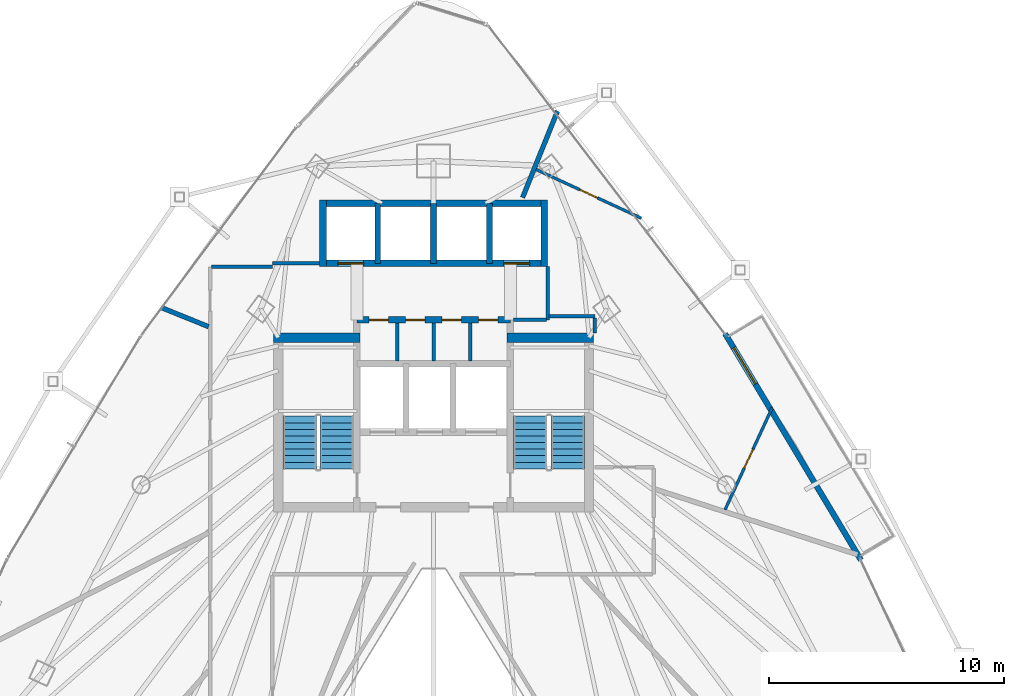
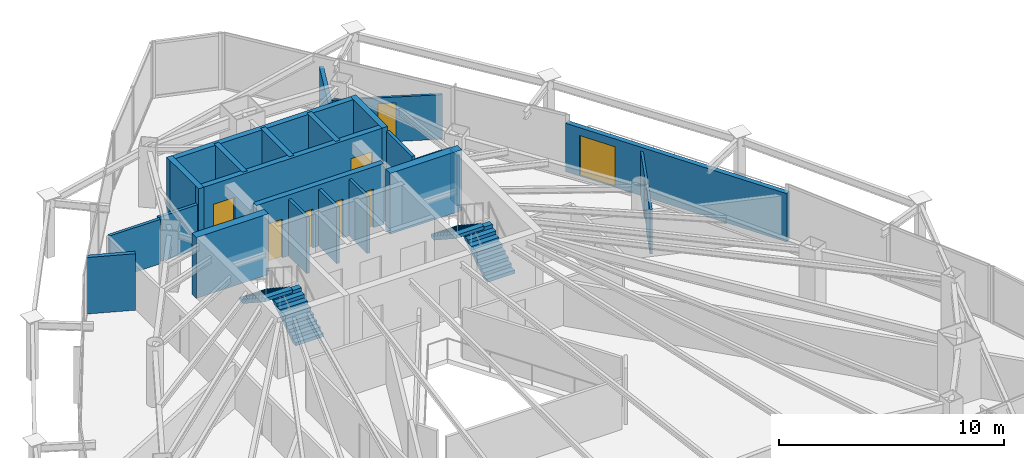
# One storey, part 28 of 31: 24 walls, 9 doors, 4 stair flights, 9 openings, 2 elements without a shape of their own.
"""IFC4 building model written with IfcOpenShell, lengths in metres."""

from ifc_helpers import new_model, si_unit, direction, frame, frame_2d, origin, place, context, subcontext, project, spatial, polyline, rectangle, outline, extrude, material, layer, layer_set, type_object, element, fill, aggregate, save


model = new_model("IFC4")

# Units and contexts
model_context = context("Model", 3, precision=1e-05, world=origin(), true_north=direction((0.0, 1.0)))
body_context = subcontext(model_context, "Body", "Model", "MODEL_VIEW")
ifc_project = project(units=[si_unit("LENGTHUNIT", "METRE"), si_unit("AREAUNIT", "SQUARE_METRE"), si_unit("VOLUMEUNIT", "CUBIC_METRE"), si_unit("PLANEANGLEUNIT", "RADIAN"), si_unit("MASSUNIT", "GRAM", prefix="KILO")], contexts=[model_context])

# Site, building, storey
site_placement = place(None, origin())
site = spatial("IfcSite", under=ifc_project, at=site_placement, CompositionType="ELEMENT")
building_placement = place(site_placement, origin())
building = spatial("IfcBuilding", under=site, at=building_placement, Name="Orvanel Arch Residences", CompositionType="ELEMENT")
storey_placement = place(building_placement, frame((0.0, 0.0, 157.25)))
storey = spatial("IfcBuildingStorey", under=building, at=storey_placement, Name="L44", CompositionType="ELEMENT", Elevation=157.25)

# Wall, opening, door
ifc_material_1 = material(Name="Precast concrete N50 (50 MPa)", Category="concrete")
ifc_layer_1 = layer(ifc_material_1, 0.239990234375)
ifc_layer_set_1 = layer_set([ifc_layer_1], Name="Precast concrete N50 (50 MPa)")
wall_type_1 = type_object("IfcWallType", Name="EW-BAL-240", PredefinedType="SOLIDWALL", material=ifc_layer_set_1)
wall_1_placement = place(storey_placement, frame((51.155029296875, 24.445068359375, 0.0), z_axis=(0.0, 0.0, 1.0), x_axis=(-0.514335781973, 0.857588889493, 0.0)))
wall_1 = element("IfcWall", 1, at=wall_1_placement, inside=storey, type_object=wall_type_1, Name="L44 Balcony Threshold Wall Face 3", PredefinedType="SOLIDWALL", context=body_context, shape_type="SweptSolid", body=[
    extrude(rectangle(XDim=11.22216796875, YDim=0.239990234375, at=frame_2d((5.611083984375, 0.0))), origin(), (0.0, 0.0, 1.0), 2.6240234375),
])
opening_1_placement = place(wall_1_placement, frame((8.72509765625, 0.0, 0.0)))
opening_1 = element("IfcOpeningElement", 2, at=opening_1_placement, cuts=wall_1, Name="Opening DB-180", PredefinedType="OPENING", context=body_context, shape_type="SweptSolid", body=[
    extrude(rectangle(XDim=1.800048828125, YDim=2.199951171875, at=frame_2d((0.89990234375, 1.10009765625))), frame((0.0, 0.1298828125, 0.0), z_axis=(0.0, -1.0, 0.0), x_axis=(1.0, 0.0, 0.0)), (0.0, 0.0, 1.0), 0.260009765625),
])
ifc_material_2 = material(Name="Bronze-anodised aluminium AA6063-T6", Category="aluminium")
door_type_1 = type_object("IfcDoorType", Name="DR-BAL-1800", OperationType="NOTDEFINED", PredefinedType="DOOR", material=ifc_material_2)
door_1_placement = place(opening_1_placement, origin())
door_1 = element("IfcDoor", 3, at=door_1_placement, inside=storey, type_object=door_type_1, Name="DR-L44-BAL-F3 L44 Planted Balcony Access Door Face 3", OperationType="SINGLE_SWING_RIGHT", OverallHeight=2.199951171875, OverallWidth=1.800048828125, PredefinedType="DOOR", context=body_context, shape_type="SweptSolid", body=[
    extrude(rectangle(XDim=1.800048828125, YDim=2.199951171875, at=frame_2d((0.89990234375, 1.10009765625))), frame((0.0, 0.02490234375, 0.0), z_axis=(0.0, -1.0, 0.0), x_axis=(1.0, 0.0, 0.0)), (0.0, 0.0, 1.0), 0.050048828125),
])
fill(opening_1, door_1)

# Walls
ifc_material_3 = material(Name="Concrete N50 (50 MPa)", Category="concrete")
ifc_layer_2 = layer(ifc_material_3, 0.25)
ifc_layer_set_2 = layer_set([ifc_layer_2], Name="Concrete N50 (50 MPa)")
wall_type_2 = type_object("IfcWallType", Name="SW-CORE-250", PredefinedType="SHEAR", material=ifc_layer_set_2)
for number, where, z_axis, x_axis, name in (
    (4, (30.625, 37.050048828125, 0.0), (0.0, 0.0, 1.0), (0.0, 1.0, 0.0), "L44 Passenger Lift Inter-Shaft Wall P35"),
    (5, (33.0, 37.050048828125, 0.0), (0.0, 0.0, 1.0), (0.0, 1.0, 0.0), "L44 Passenger Lift Inter-Shaft Wall P56"),
    (6, (35.375, 37.050048828125, 0.0), (0.0, 0.0, 1.0), (0.0, 1.0, 0.0), "L44 Passenger Lift Inter-Shaft Wall P64"),
):
    element("IfcWall", number, at=place(storey_placement, frame(where, z_axis=z_axis, x_axis=x_axis)), inside=storey, type_object=wall_type_2, Name=name, PredefinedType="SHEAR", context=body_context, shape_type="SweptSolid", body=[
        extrude(rectangle(XDim=2.550048828125, YDim=0.25, at=frame_2d((1.27490234375, 0.0))), origin(), (0.0, 0.0, 1.0), 3.300048828125),
    ])

# Wall, openings, doors
ifc_material_4 = material(Name="Concrete S65 (65 MPa)", Category="concrete")
ifc_layer_3 = layer(ifc_material_4, 0.280029296875)
ifc_layer_set_3 = layer_set([ifc_layer_3], Name="Concrete S65 (65 MPa)")
wall_type_3 = type_object("IfcWallType", Name="SW-CORE-280", PredefinedType="SHEAR", material=ifc_layer_set_3)
wall_2_placement = place(storey_placement, frame((29.739990234375, 34.64990234375, 0.0), z_axis=(0.0, 0.0, 1.0), x_axis=(1.0, 0.0, 0.0)))
wall_2 = element("IfcWall", 7, at=wall_2_placement, inside=storey, type_object=wall_type_3, Name="L44 Core Service Band North Shear Wall", PredefinedType="SHEAR", context=body_context, shape_type="SweptSolid", body=[
    extrude(rectangle(XDim=6.52001953125, YDim=0.280029296875, at=frame_2d((3.260009765625, 0.0))), origin(), (0.0, 0.0, 1.0), 3.300048828125),
])
opening_2_placement = place(wall_2_placement, frame((0.514892578125, 0.0, 0.0)))
opening_2 = element("IfcOpeningElement", 8, at=opening_2_placement, cuts=wall_2, Name="Opening DS-082", PredefinedType="OPENING", context=body_context, shape_type="SweptSolid", body=[
    extrude(rectangle(XDim=0.820068359375, YDim=2.10009765625, at=frame_2d((0.41015625, 1.050048828125))), frame((0.0, 0.14990234375, 0.0), z_axis=(0.0, -1.0, 0.0), x_axis=(1.0, 0.0, 0.0)), (0.0, 0.0, 1.0), 0.300048828125),
])
opening_3_placement = place(wall_2_placement, frame((2.06494140625, 0.0, 0.0)))
opening_3 = element("IfcOpeningElement", 9, at=opening_3_placement, cuts=wall_2, Name="Opening DS-082", PredefinedType="OPENING", context=body_context, shape_type="SweptSolid", body=[
    extrude(rectangle(XDim=0.820068359375, YDim=2.10009765625, at=frame_2d((0.41015625, 1.050048828125))), frame((0.0, 0.14990234375, 0.0), z_axis=(0.0, -1.0, 0.0), x_axis=(1.0, 0.0, 0.0)), (0.0, 0.0, 1.0), 0.300048828125),
])
opening_4_placement = place(wall_2_placement, frame((3.614990234375, 0.0, 0.0)))
opening_4 = element("IfcOpeningElement", 10, at=opening_4_placement, cuts=wall_2, Name="Opening DS-082", PredefinedType="OPENING", context=body_context, shape_type="SweptSolid", body=[
    extrude(rectangle(XDim=0.820068359375, YDim=2.10009765625, at=frame_2d((0.41015625, 1.050048828125))), frame((0.0, 0.14990234375, 0.0), z_axis=(0.0, -1.0, 0.0), x_axis=(1.0, 0.0, 0.0)), (0.0, 0.0, 1.0), 0.300048828125),
])
opening_5_placement = place(wall_2_placement, frame((5.1650390625, 0.0, 0.0)))
opening_5 = element("IfcOpeningElement", 11, at=opening_5_placement, cuts=wall_2, Name="Opening DS-082", PredefinedType="OPENING", context=body_context, shape_type="SweptSolid", body=[
    extrude(rectangle(XDim=0.820068359375, YDim=2.10009765625, at=frame_2d((0.41015625, 1.050048828125))), frame((0.0, 0.14990234375, 0.0), z_axis=(0.0, -1.0, 0.0), x_axis=(1.0, 0.0, 0.0)), (0.0, 0.0, 1.0), 0.300048828125),
])
ifc_material_5 = material(Name="Galvanised steel fire-resisting door assembly", Category="steel")
door_type_2 = type_object("IfcDoorType", Name="DR-SVC-820", OperationType="NOTDEFINED", PredefinedType="DOOR", material=ifc_material_5)
door_2_placement = place(opening_2_placement, origin())
door_2 = element("IfcDoor", 12, at=door_2_placement, inside=storey, type_object=door_type_2, Name="DR-L44-CSVC-1 L44 Linen Store Door", OperationType="SINGLE_SWING_LEFT", OverallHeight=2.10009765625, OverallWidth=0.820068359375, PredefinedType="DOOR", context=body_context, shape_type="SweptSolid", body=[
    extrude(rectangle(XDim=0.820068359375, YDim=2.10009765625, at=frame_2d((0.41015625, 1.050048828125))), frame((0.0, 0.02490234375, 0.0), z_axis=(0.0, -1.0, 0.0), x_axis=(1.0, 0.0, 0.0)), (0.0, 0.0, 1.0), 0.050048828125),
])
fill(opening_2, door_2)
door_3_placement = place(opening_3_placement, origin())
door_3 = element("IfcDoor", 13, at=door_3_placement, inside=storey, type_object=door_type_2, Name="DR-L44-CSVC-2 L44 Cleaner's Store Door", OperationType="SINGLE_SWING_LEFT", OverallHeight=2.10009765625, OverallWidth=0.820068359375, PredefinedType="DOOR", context=body_context, shape_type="SweptSolid", body=[
    extrude(rectangle(XDim=0.820068359375, YDim=2.10009765625, at=frame_2d((0.41015625, 1.050048828125))), frame((0.0, 0.02490234375, 0.0), z_axis=(0.0, -1.0, 0.0), x_axis=(1.0, 0.0, 0.0)), (0.0, 0.0, 1.0), 0.050048828125),
])
fill(opening_3, door_3)
door_4_placement = place(opening_4_placement, origin())
door_4 = element("IfcDoor", 14, at=door_4_placement, inside=storey, type_object=door_type_2, Name="DR-L44-CSVC-3 L44 Electrical Meter Store Door", OperationType="SINGLE_SWING_LEFT", OverallHeight=2.10009765625, OverallWidth=0.820068359375, PredefinedType="DOOR", context=body_context, shape_type="SweptSolid", body=[
    extrude(rectangle(XDim=0.820068359375, YDim=2.10009765625, at=frame_2d((0.41015625, 1.050048828125))), frame((0.0, 0.02490234375, 0.0), z_axis=(0.0, -1.0, 0.0), x_axis=(1.0, 0.0, 0.0)), (0.0, 0.0, 1.0), 0.050048828125),
])
fill(opening_4, door_4)
door_5_placement = place(opening_5_placement, origin())
door_5 = element("IfcDoor", 15, at=door_5_placement, inside=storey, type_object=door_type_2, Name="DR-L44-CSVC-4 L44 Housekeeping Supply Store Door", OperationType="SINGLE_SWING_LEFT", OverallHeight=2.10009765625, OverallWidth=0.820068359375, PredefinedType="DOOR", context=body_context, shape_type="SweptSolid", body=[
    extrude(rectangle(XDim=0.820068359375, YDim=2.10009765625, at=frame_2d((0.41015625, 1.050048828125))), frame((0.0, 0.02490234375, 0.0), z_axis=(0.0, -1.0, 0.0), x_axis=(1.0, 0.0, 0.0)), (0.0, 0.0, 1.0), 0.050048828125),
])
fill(opening_5, door_5)

wall_3_placement = place(storey_placement, frame((37.840087890625, 37.050048828125, 0.0), z_axis=(0.0, 0.0, 1.0), x_axis=(-1.0, 0.0, 0.0)))
wall_3 = element("IfcWall", 16, at=wall_3_placement, inside=storey, type_object=wall_type_3, Name="L44 Passenger Lift Bank Front Shear Wall", PredefinedType="SHEAR", context=body_context, shape_type="SweptSolid", body=[
    extrude(rectangle(XDim=9.68017578125, YDim=0.280029296875, at=frame_2d((4.840087890625, 0.0))), origin(), (0.0, 0.0, 1.0), 3.300048828125),
])
opening_6_placement = place(wall_3_placement, frame((7.81494140625, 0.0, 0.0)))
opening_6 = element("IfcOpeningElement", 17, at=opening_6_placement, cuts=wall_3, Name="Opening LD-110", PredefinedType="OPENING", context=body_context, shape_type="SweptSolid", body=[
    extrude(rectangle(XDim=1.10009765625, YDim=2.199951171875, at=frame_2d((0.550048828125, 1.10009765625))), frame((0.0, 0.14990234375, 0.0), z_axis=(0.0, -1.0, 0.0), x_axis=(1.0, 0.0, 0.0)), (0.0, 0.0, 1.0), 0.300048828125),
])
opening_7_placement = place(wall_3_placement, frame((0.764892578125, 0.0, 0.0)))
opening_7 = element("IfcOpeningElement", 18, at=opening_7_placement, cuts=wall_3, Name="Opening LD-110", PredefinedType="OPENING", context=body_context, shape_type="SweptSolid", body=[
    extrude(rectangle(XDim=1.10009765625, YDim=2.199951171875, at=frame_2d((0.550048828125, 1.10009765625))), frame((0.0, 0.14990234375, 0.0), z_axis=(0.0, -1.0, 0.0), x_axis=(1.0, 0.0, 0.0)), (0.0, 0.0, 1.0), 0.300048828125),
])
door_type_3 = type_object("IfcDoorType", Name="DR-LFT-1100", OperationType="NOTDEFINED", PredefinedType="DOOR", material=ifc_material_5)
door_6_placement = place(opening_6_placement, origin())
door_6 = element("IfcDoor", 19, at=door_6_placement, inside=storey, type_object=door_type_3, Name="LD-P3-L44 L44 Passenger Lift P3 Sliding Landing Door", OperationType="DOUBLE_DOOR_SLIDING", OverallHeight=2.199951171875, OverallWidth=1.10009765625, PredefinedType="DOOR", context=body_context, shape_type="SweptSolid", body=[
    extrude(rectangle(XDim=1.10009765625, YDim=2.199951171875, at=frame_2d((0.550048828125, 1.10009765625))), frame((0.0, 0.02490234375, 0.0), z_axis=(0.0, -1.0, 0.0), x_axis=(1.0, 0.0, 0.0)), (0.0, 0.0, 1.0), 0.050048828125),
])
fill(opening_6, door_6)
door_7_placement = place(opening_7_placement, origin())
door_7 = element("IfcDoor", 20, at=door_7_placement, inside=storey, type_object=door_type_3, Name="LD-P4-L44 L44 Passenger Lift P4 Sliding Landing Door", OperationType="DOUBLE_DOOR_SLIDING", OverallHeight=2.199951171875, OverallWidth=1.10009765625, PredefinedType="DOOR", context=body_context, shape_type="SweptSolid", body=[
    extrude(rectangle(XDim=1.10009765625, YDim=2.199951171875, at=frame_2d((0.550048828125, 1.10009765625))), frame((0.0, 0.02490234375, 0.0), z_axis=(0.0, -1.0, 0.0), x_axis=(1.0, 0.0, 0.0)), (0.0, 0.0, 1.0), 0.050048828125),
])
fill(opening_7, door_7)

# Walls
wall_4_placement = place(storey_placement, frame((28.159912109375, 39.60009765625, 0.0), z_axis=(0.0, 0.0, 1.0), x_axis=(1.0, 0.0, 0.0)))
element("IfcWall", 21, at=wall_4_placement, inside=storey, type_object=wall_type_3, Name="L44 Passenger Lift Bank North Shear Wall", PredefinedType="SHEAR", context=body_context, shape_type="SweptSolid", body=[
    extrude(rectangle(XDim=9.68017578125, YDim=0.280029296875, at=frame_2d((4.840087890625, 0.0))), origin(), (0.0, 0.0, 1.0), 3.300048828125),
])
for number, where, z_axis, x_axis, name in (
    (22, (28.300048828125, 36.909912109375, 0.0), (0.0, 0.0, 1.0), (0.0, 1.0, 0.0), "L44 Passenger Lift Bank West Shear Wall"),
    (23, (37.699951171875, 36.909912109375, 0.0), (0.0, 0.0, 1.0), (0.0, 1.0, 0.0), "L44 Passenger Lift Bank East Shear Wall"),
):
    element("IfcWall", number, at=place(storey_placement, frame(where, z_axis=z_axis, x_axis=x_axis)), inside=storey, type_object=wall_type_3, Name=name, PredefinedType="SHEAR", context=body_context, shape_type="SweptSolid", body=[
        extrude(rectangle(XDim=2.830078125, YDim=0.280029296875, at=frame_2d((1.4150390625, 0.0))), origin(), (0.0, 0.0, 1.0), 3.300048828125),
    ])
ifc_layer_4 = layer(ifc_material_4, 0.39990234375)
ifc_layer_set_4 = layer_set([ifc_layer_4], Name="Concrete S65 (65 MPa)")
wall_type_4 = type_object("IfcWallType", Name="SW-CORE-400", PredefinedType="SHEAR", material=ifc_layer_set_4)
for number, where, z_axis, x_axis, name in (
    (24, (26.199951171875, 33.89990234375, 0.0), (0.0, 0.0, 1.0), (1.0, 0.0, 0.0), "L44 West Stair North Shear Wall"),
    (25, (36.1201171875, 33.89990234375, 0.0), (0.0, 0.0, 1.0), (1.0, 0.0, 0.0), "L44 East Stair North Shear Wall"),
):
    element("IfcWall", number, at=place(storey_placement, frame(where, z_axis=z_axis, x_axis=x_axis)), inside=storey, type_object=wall_type_4, Name=name, PredefinedType="SHEAR", context=body_context, shape_type="SweptSolid", body=[
        extrude(rectangle(XDim=3.679931640625, YDim=0.39990234375, at=frame_2d((1.83984375, 0.0))), origin(), (0.0, 0.0, 1.0), 3.300048828125),
    ])
ifc_material_6 = material(Name="Fire-rated plasterboard lined steel stud partition", Category="steel")
ifc_layer_5 = layer(ifc_material_6, 0.14990234375)
ifc_layer_set_5 = layer_set([ifc_layer_5], Name="Fire-rated plasterboard lined steel stud partition")
wall_type_5 = type_object("IfcWallType", Name="W-COR-150", PredefinedType="PARTITIONING", material=ifc_layer_set_5)
wall_5_placement = place(storey_placement, frame((37.85009765625, 34.64990234375, 0.0), z_axis=(0.0, 0.0, 1.0), x_axis=(0.0, 1.0, 0.0)))
element("IfcWall", 26, at=wall_5_placement, inside=storey, type_object=wall_type_5, Name="L44 Passenger Lift Lobby East Closure Wall", PredefinedType="PARTITIONING", context=body_context, shape_type="SweptSolid", body=[
    extrude(rectangle(XDim=2.260009765625, YDim=0.14990234375, at=frame_2d((1.1298828125, 0.0))), origin(), (0.0, 0.0, 1.0), 3.06005859375),
])
wall_6_placement = place(storey_placement, frame((36.385009765625, 34.64990234375, 0.0), z_axis=(0.0, 0.0, 1.0), x_axis=(1.0, 0.0, 0.0)))
element("IfcWall", 27, at=wall_6_placement, inside=storey, type_object=wall_type_5, Name="L44 Passenger Lift Lobby South-East Wall", PredefinedType="PARTITIONING", context=body_context, shape_type="SweptSolid", body=[
    extrude(rectangle(XDim=1.405029296875, YDim=0.14990234375, at=frame_2d((0.70263671875, 0.0))), origin(), (0.0, 0.0, 1.0), 2.425048828125),
])
wall_7_placement = place(storey_placement, frame((23.56005859375, 36.89990234375, 0.0), z_axis=(0.0, 0.0, 1.0), x_axis=(1.0, 0.0, 0.0)))
element("IfcWall", 28, at=wall_7_placement, inside=storey, type_object=wall_type_5, Name="L44 Corridor Fire-Rated Partition", PredefinedType="PARTITIONING", context=body_context, shape_type="SweptSolid", body=[
    extrude(rectangle(XDim=2.58984375, YDim=0.14990234375, at=frame_2d((1.294921875, 0.0))), origin(), (0.0, 0.0, 1.0), 2.4130859375),
])
wall_8_placement = place(storey_placement, frame((26.14990234375, 37.050048828125, 0.0), z_axis=(0.0, 0.0, 1.0), x_axis=(1.0, 0.0, 0.0)))
element("IfcWall", 29, at=wall_8_placement, inside=storey, type_object=wall_type_5, Name="L44 Core Perimeter Partition", PredefinedType="PARTITIONING", context=body_context, shape_type="SweptSolid", body=[
    extrude(rectangle(XDim=2.0, YDim=0.14990234375, at=frame_2d((1.0, 0.0))), origin(), (0.0, 0.0, 1.0), 2.4130859375),
])
wall_9_placement = place(storey_placement, frame((37.909912109375, 34.800048828125, 0.0), z_axis=(0.0, 0.0, 1.0), x_axis=(1.0, 0.0, 0.0)))
element("IfcWall", 30, at=wall_9_placement, inside=storey, type_object=wall_type_5, Name="L44 Core Perimeter Partition", PredefinedType="PARTITIONING", context=body_context, shape_type="SweptSolid", body=[
    extrude(rectangle(XDim=1.940185546875, YDim=0.14990234375, at=frame_2d((0.97021484375, 0.0))), origin(), (0.0, 0.0, 1.0), 2.720947265625),
])
wall_10_placement = place(storey_placement, frame((39.85009765625, 34.739990234375, 0.0), z_axis=(0.0, 0.0, 1.0), x_axis=(0.0, -1.0, 0.0)))
element("IfcWall", 31, at=wall_10_placement, inside=storey, type_object=wall_type_5, Name="L44 Core Perimeter Partition", PredefinedType="PARTITIONING", context=body_context, shape_type="SweptSolid", body=[
    extrude(rectangle(XDim=0.639892578125, YDim=0.14990234375, at=frame_2d((0.31982421875, 0.0))), origin(), (0.0, 0.0, 1.0), 2.720947265625),
])
ifc_layer_6 = layer(ifc_material_6, 0.199951171875)
ifc_layer_set_6 = layer_set([ifc_layer_6], Name="Fire-rated plasterboard lined steel stud partition")
wall_type_6 = type_object("IfcWallType", Name="W-DEM-200", PredefinedType="PARTITIONING", material=ifc_layer_set_6)
wall_11_placement = place(storey_placement, frame((36.778076171875, 39.85009765625, 0.0), z_axis=(0.0, 0.0, 1.0), x_axis=(0.374430412004, 0.927255017008, 0.0)))
element("IfcWall", 32, at=wall_11_placement, inside=storey, type_object=wall_type_6, Name="L44 Inter-Tenancy Acoustic Demising Wall", PredefinedType="PARTITIONING", context=body_context, shape_type="SweptSolid", body=[
    extrude(rectangle(XDim=3.957763671875, YDim=0.199951171875, at=frame_2d((1.97900390625, 0.0))), origin(), (0.0, 0.0, 1.0), 2.4130859375),
])
wall_12_placement = place(storey_placement, frame((23.43994140625, 34.362060546875, 0.0), z_axis=(0.0, 0.0, 1.0), x_axis=(-0.927021575741, 0.375007997395, 0.0)))
element("IfcWall", 33, at=wall_12_placement, inside=storey, type_object=wall_type_6, Name="L44 Inter-Tenancy Acoustic Demising Wall", PredefinedType="PARTITIONING", context=body_context, shape_type="SweptSolid", body=[
    extrude(rectangle(XDim=2.16259765625, YDim=0.199951171875, at=frame_2d((1.081298828125, 0.0))), origin(), (0.0, 0.0, 1.0), 3.06005859375),
])
ifc_layer_7 = layer(ifc_material_6, 0.14990234375)
ifc_layer_set_7 = layer_set([ifc_layer_7], Name="Fire-rated plasterboard lined steel stud partition")
wall_type_7 = type_object("IfcWallType", Name="W-ST-150", PredefinedType="PARTITIONING", material=ifc_layer_set_7)
for number, where, z_axis, x_axis, name in (
    (34, (31.449951171875, 32.9150390625, 0.0), (0.0, 0.0, 1.0), (0.0, 1.0, 0.0), "L44 Core Service Partition 1"),
    (35, (33.0, 32.9150390625, 0.0), (0.0, 0.0, 1.0), (0.0, 1.0, 0.0), "L44 Core Service Partition 2"),
    (36, (34.550048828125, 32.9150390625, 0.0), (0.0, 0.0, 1.0), (0.0, 1.0, 0.0), "L44 Core Service Partition 3"),
):
    element("IfcWall", number, at=place(storey_placement, frame(where, z_axis=z_axis, x_axis=x_axis)), inside=storey, type_object=wall_type_7, Name=name, PredefinedType="PARTITIONING", context=body_context, shape_type="SweptSolid", body=[
        extrude(rectangle(XDim=1.60986328125, YDim=0.14990234375, at=frame_2d((0.804931640625, 0.0))), origin(), (0.0, 0.0, 1.0), 3.06005859375),
    ])

# Wall, opening, door
ifc_material_7 = material(Name="Acoustic plasterboard lined twin-stud partition", Category="gypsum")
ifc_layer_8 = layer(ifc_material_7, 0.1201171875)
ifc_layer_set_8 = layer_set([ifc_layer_8], Name="Acoustic plasterboard lined twin-stud partition")
wall_type_8 = type_object("IfcWallType", Name="W-WET-120", PredefinedType="PARTITIONING", material=ifc_layer_set_8)
wall_13_placement = place(storey_placement, frame((37.35107421875, 41.0419921875, 0.0), z_axis=(0.0, 0.0, 1.0), x_axis=(0.907592371503, -0.419852458834, 0.0)))
wall_13 = element("IfcWall", 37, at=wall_13_placement, inside=storey, type_object=wall_type_8, Name="L44 Studio B Bathroom Partition", PredefinedType="PARTITIONING", context=body_context, shape_type="SweptSolid", body=[
    extrude(rectangle(XDim=4.930419921875, YDim=0.1201171875, at=frame_2d((2.46533203125, 0.0))), origin(), (0.0, 0.0, 1.0), 2.4130859375),
])
opening_8_placement = place(wall_13_placement, frame((2.054931640625, 0.0, 0.0)))
opening_8 = element("IfcOpeningElement", 38, at=opening_8_placement, cuts=wall_13, Name="Opening DW-082", PredefinedType="OPENING", context=body_context, shape_type="SweptSolid", body=[
    extrude(rectangle(XDim=0.820068359375, YDim=2.10009765625, at=frame_2d((0.41015625, 1.050048828125))), frame((0.0, 0.070068359375, 0.0), z_axis=(0.0, -1.0, 0.0), x_axis=(1.0, 0.0, 0.0)), (0.0, 0.0, 1.0), 0.14013671875),
])
ifc_material_8 = material(Name="Solid-core European oak veneer fire door leaf", Category="wood")
door_type_4 = type_object("IfcDoorType", Name="DR-WET-820", OperationType="NOTDEFINED", PredefinedType="DOOR", material=ifc_material_8)
door_8_placement = place(opening_8_placement, origin())
door_8 = element("IfcDoor", 39, at=door_8_placement, inside=storey, type_object=door_type_4, Name="DR-L44-B-BATH L44 Studio B Bathroom Door", OperationType="SINGLE_SWING_RIGHT", OverallHeight=2.10009765625, OverallWidth=0.820068359375, PredefinedType="DOOR", context=body_context, shape_type="SweptSolid", body=[
    extrude(rectangle(XDim=0.820068359375, YDim=2.10009765625, at=frame_2d((0.41015625, 1.050048828125))), frame((0.0, 0.02490234375, 0.0), z_axis=(0.0, -1.0, 0.0), x_axis=(1.0, 0.0, 0.0)), (0.0, 0.0, 1.0), 0.050048828125),
])
fill(opening_8, door_8)

wall_14_placement = place(storey_placement, frame((47.3798828125, 30.9150390625, 0.0), z_axis=(0.0, 0.0, 1.0), x_axis=(-0.419818119852, -0.907608255936, 0.0)))
wall_14 = element("IfcWall", 40, at=wall_14_placement, inside=storey, type_object=wall_type_8, Name="L44 Studio B Internal Partition", PredefinedType="PARTITIONING", context=body_context, shape_type="SweptSolid", body=[
    extrude(rectangle(XDim=4.766357421875, YDim=0.1201171875, at=frame_2d((2.38330078125, 0.0))), origin(), (0.0, 0.0, 1.0), 2.4130859375),
])
opening_9_placement = place(wall_14_placement, frame((1.943115234375, 0.0, 0.0)))
opening_9 = element("IfcOpeningElement", 41, at=opening_9_placement, cuts=wall_14, Name="Opening DI-088", PredefinedType="OPENING", context=body_context, shape_type="SweptSolid", body=[
    extrude(rectangle(XDim=0.8798828125, YDim=2.10009765625, at=frame_2d((0.43994140625, 1.050048828125))), frame((0.0, 0.070068359375, 0.0), z_axis=(0.0, -1.0, 0.0), x_axis=(1.0, 0.0, 0.0)), (0.0, 0.0, 1.0), 0.14013671875),
])
door_type_5 = type_object("IfcDoorType", Name="DR-INT-880", OperationType="NOTDEFINED", PredefinedType="DOOR", material=ifc_material_8)
door_9_placement = place(opening_9_placement, origin())
door_9 = element("IfcDoor", 42, at=door_9_placement, inside=storey, type_object=door_type_5, Name="DR-L44-B-KIT L44 Studio B Kitchenette Door", OperationType="SINGLE_SWING_LEFT", OverallHeight=2.10009765625, OverallWidth=0.8798828125, PredefinedType="DOOR", context=body_context, shape_type="SweptSolid", body=[
    extrude(rectangle(XDim=0.8798828125, YDim=2.10009765625, at=frame_2d((0.43994140625, 1.050048828125))), frame((0.0, 0.02490234375, 0.0), z_axis=(0.0, -1.0, 0.0), x_axis=(1.0, 0.0, 0.0)), (0.0, 0.0, 1.0), 0.050048828125),
])
fill(opening_9, door_9)

# Stair, stair flights
stair_type = type_object("IfcStairType", Name="STR-DOG-184", PredefinedType="USERDEFINED", material=ifc_material_1)
stair_1_placement = place(storey_placement, origin())
stair_1 = element("IfcStair", 43, at=stair_1_placement, inside=storey, type_object=stair_type, Name="L44 Fire-Isolated Core Exit Stair 1", ObjectType="TWO_RETURN_STAIR", PredefinedType="USERDEFINED")
stair_flight_type_1 = type_object("IfcStairFlightType", Name="SFL-C1-184", PredefinedType="STRAIGHT", material=ifc_material_1)
stair_flight_1_placement = place(storey_placement, frame((28.889892578125, 28.320068359375, 0.0), z_axis=(0.0, 0.0, 1.0), x_axis=(0.0, 1.0, 0.0)))
stair_flight_1 = element("IfcStairFlight", 44, at=stair_flight_1_placement, type_object=stair_flight_type_1, Name="ST-1 flight 1", NumberOfRisers=9, NumberOfTreads=8, PredefinedType="STRAIGHT", RiserHeight=0.183333333, TreadLength=0.28, context=body_context, shape_type="SweptSolid", body=[
    extrude(outline(polyline([(0.0, 0.0), (0.0, 0.183349609375), (0.280029296875, 0.183349609375), (0.280029296875, 0.36669921875), (0.56005859375, 0.36669921875), (0.56005859375, 0.550048828125), (0.840087890625, 0.550048828125), (0.840087890625, 0.7333984375), (1.1201171875, 0.7333984375), (1.1201171875, 0.916748046875), (1.39990234375, 0.916748046875), (1.39990234375, 1.10009765625), (1.679931640625, 1.10009765625), (1.679931640625, 1.283447265625), (1.9599609375, 1.283447265625), (1.9599609375, 1.466552734375), (2.239990234375, 1.466552734375), (2.239990234375, 1.64990234375), (2.239990234375, 1.28759765625), (0.273681640625, 0.0), (0.0, 0.0)])), frame((0.0, 0.7099609375, 0.0), z_axis=(0.0, -1.0, 0.0), x_axis=(1.0, 0.0, 0.0)), (0.0, 0.0, 1.0), 1.419921875),
])
stair_flight_2_placement = place(storey_placement, frame((27.31005859375, 30.56005859375, 1.64990234375), z_axis=(0.0, 0.0, 1.0), x_axis=(0.0, -1.0, 0.0)))
stair_flight_2 = element("IfcStairFlight", 45, at=stair_flight_2_placement, type_object=stair_flight_type_1, Name="ST-1 flight 2", NumberOfRisers=9, NumberOfTreads=8, PredefinedType="STRAIGHT", RiserHeight=0.183333333, TreadLength=0.28, context=body_context, shape_type="SweptSolid", body=[
    extrude(outline(polyline([(0.0, 0.0), (0.0, 0.183349609375), (0.280029296875, 0.183349609375), (0.280029296875, 0.36669921875), (0.56005859375, 0.36669921875), (0.56005859375, 0.550048828125), (0.840087890625, 0.550048828125), (0.840087890625, 0.7333984375), (1.1201171875, 0.7333984375), (1.1201171875, 0.916748046875), (1.39990234375, 0.916748046875), (1.39990234375, 1.10009765625), (1.679931640625, 1.10009765625), (1.679931640625, 1.283447265625), (1.9599609375, 1.283447265625), (1.9599609375, 1.466552734375), (2.239990234375, 1.466552734375), (2.239990234375, 1.64990234375), (2.239990234375, 1.28759765625), (0.273681640625, 0.0), (0.0, 0.0)])), frame((0.0, 0.7099609375, 0.0), z_axis=(0.0, -1.0, 0.0), x_axis=(1.0, 0.0, 0.0)), (0.0, 0.0, 1.0), 1.419921875),
])
aggregate(stair_1, [stair_flight_1, stair_flight_2])

stair_2_placement = place(storey_placement, origin())
stair_2 = element("IfcStair", 46, at=stair_2_placement, inside=storey, type_object=stair_type, Name="L44 Fire-Isolated Core Exit Stair 2", ObjectType="TWO_RETURN_STAIR", PredefinedType="USERDEFINED")
stair_flight_type_2 = type_object("IfcStairFlightType", Name="SFL-C2-184", PredefinedType="STRAIGHT", material=ifc_material_1)
stair_flight_3_placement = place(storey_placement, frame((38.68994140625, 28.320068359375, 0.0), z_axis=(0.0, 0.0, 1.0), x_axis=(0.0, 1.0, 0.0)))
stair_flight_3 = element("IfcStairFlight", 47, at=stair_flight_3_placement, type_object=stair_flight_type_2, Name="ST-2 flight 1", NumberOfRisers=9, NumberOfTreads=8, PredefinedType="STRAIGHT", RiserHeight=0.183333333, TreadLength=0.28, context=body_context, shape_type="SweptSolid", body=[
    extrude(outline(polyline([(0.0, 0.0), (0.0, 0.183349609375), (0.280029296875, 0.183349609375), (0.280029296875, 0.36669921875), (0.56005859375, 0.36669921875), (0.56005859375, 0.550048828125), (0.840087890625, 0.550048828125), (0.840087890625, 0.7333984375), (1.1201171875, 0.7333984375), (1.1201171875, 0.916748046875), (1.39990234375, 0.916748046875), (1.39990234375, 1.10009765625), (1.679931640625, 1.10009765625), (1.679931640625, 1.283447265625), (1.9599609375, 1.283447265625), (1.9599609375, 1.466552734375), (2.239990234375, 1.466552734375), (2.239990234375, 1.64990234375), (2.239990234375, 1.28759765625), (0.273681640625, 0.0), (0.0, 0.0)])), frame((0.0, 0.7099609375, 0.0), z_axis=(0.0, -1.0, 0.0), x_axis=(1.0, 0.0, 0.0)), (0.0, 0.0, 1.0), 1.419921875),
])
stair_flight_4_placement = place(storey_placement, frame((37.110107421875, 30.56005859375, 1.64990234375), z_axis=(0.0, 0.0, 1.0), x_axis=(0.0, -1.0, 0.0)))
stair_flight_4 = element("IfcStairFlight", 48, at=stair_flight_4_placement, type_object=stair_flight_type_2, Name="ST-2 flight 2", NumberOfRisers=9, NumberOfTreads=8, PredefinedType="STRAIGHT", RiserHeight=0.183333333, TreadLength=0.28, context=body_context, shape_type="SweptSolid", body=[
    extrude(outline(polyline([(0.0, 0.0), (0.0, 0.183349609375), (0.280029296875, 0.183349609375), (0.280029296875, 0.36669921875), (0.56005859375, 0.36669921875), (0.56005859375, 0.550048828125), (0.840087890625, 0.550048828125), (0.840087890625, 0.7333984375), (1.1201171875, 0.7333984375), (1.1201171875, 0.916748046875), (1.39990234375, 0.916748046875), (1.39990234375, 1.10009765625), (1.679931640625, 1.10009765625), (1.679931640625, 1.283447265625), (1.9599609375, 1.283447265625), (1.9599609375, 1.466552734375), (2.239990234375, 1.466552734375), (2.239990234375, 1.64990234375), (2.239990234375, 1.28759765625), (0.273681640625, 0.0), (0.0, 0.0)])), frame((0.0, 0.7099609375, 0.0), z_axis=(0.0, -1.0, 0.0), x_axis=(1.0, 0.0, 0.0)), (0.0, 0.0, 1.0), 1.419921875),
])
aggregate(stair_2, [stair_flight_3, stair_flight_4])

save(model, "model.ifc")
